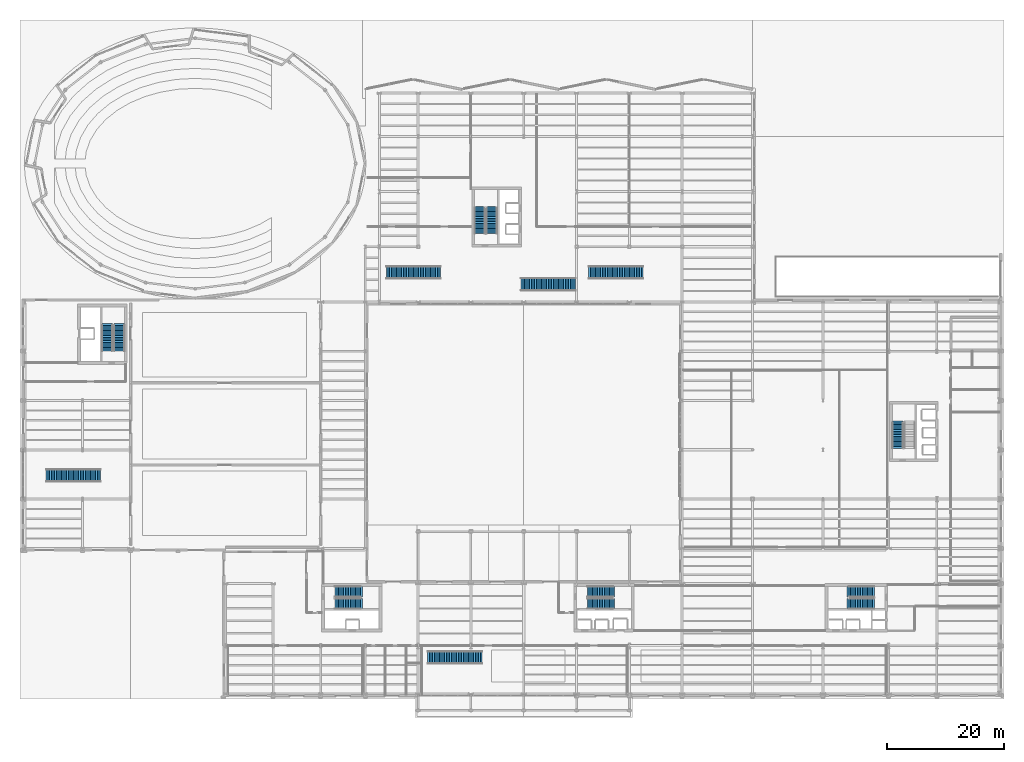
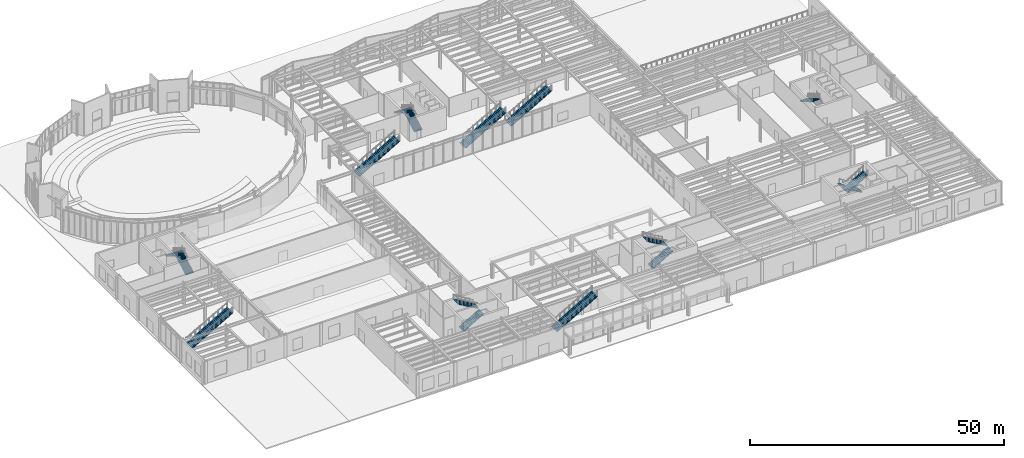
# One storey, part 81 of 94: 16 stair flights, 11 elements without a shape of their own.
"""IFC4 building model written with IfcOpenShell, lengths in metres."""

from ifc_helpers import new_model, si_unit, direction, frame, origin, place, context, subcontext, project, spatial, polyline, outline, extrude, material, type_object, element, aggregate, save


model = new_model("IFC4")

# Units and contexts
model_context = context("Model", 3, precision=1e-05, world=origin(), true_north=direction((0.0, 1.0)))
body_context = subcontext(model_context, "Body", "Model", "MODEL_VIEW")
ifc_project = project(units=[si_unit("LENGTHUNIT", "METRE"), si_unit("AREAUNIT", "SQUARE_METRE"), si_unit("VOLUMEUNIT", "CUBIC_METRE"), si_unit("PLANEANGLEUNIT", "RADIAN"), si_unit("MASSUNIT", "GRAM", prefix="KILO")], contexts=[model_context])

# Site, building, storey
site_placement = place(None, origin())
site = spatial("IfcSite", under=ifc_project, at=site_placement, CompositionType="ELEMENT")
building_placement = place(site_placement, origin())
building = spatial("IfcBuilding", under=site, at=building_placement, Name="Sollismere Congress Hotel", CompositionType="ELEMENT")
storey_placement = place(building_placement, origin())
storey = spatial("IfcBuildingStorey", under=building, at=storey_placement, Name="L00", CompositionType="ELEMENT", Elevation=0.0)

# Stair, stair flights
ifc_material_1 = material(Name="Concrete C40/50", Category="concrete")
stair_type_1 = type_object("IfcStairType", Name="STR-DL-540", PredefinedType="HALF_TURN_STAIR", material=ifc_material_1)
stair_1_placement = place(storey_placement, origin())
stair_1 = element("IfcStair", 1, at=stair_1_placement, inside=storey, type_object=stair_type_1, Name="Protected exit stair ST-01-L00", PredefinedType="HALF_TURN_STAIR")
stair_flight_type_1 = type_object("IfcStairFlightType", Name="STF-DL-540", PredefinedType="STRAIGHT", material=ifc_material_1)
stair_flight_1_placement = place(storey_placement, frame((144.75, 17.425048828125, 0.0), z_axis=(0.0, 0.0, 1.0), x_axis=(-1.0, 0.0, 0.0)))
stair_flight_1 = element("IfcStairFlight", 2, at=stair_flight_1_placement, type_object=stair_flight_type_1, Name="Exit stair flight ST-01-L00-F1", NumberOfRisers=16, NumberOfTreads=16, PredefinedType="STRAIGHT", RiserHeight=0.168701171875, TreadLength=0.2900390625, context=body_context, shape_type="SweptSolid", body=[
    extrude(outline(polyline([(0.0, 0.0), (0.0, 0.168701171875), (0.2900390625, 0.168701171875), (0.2900390625, 0.33740234375), (0.580078125, 0.33740234375), (0.580078125, 0.506103515625), (0.8701171875, 0.506103515625), (0.8701171875, 0.6748046875), (1.16015625, 0.6748046875), (1.16015625, 0.843505859375), (1.4501953125, 0.843505859375), (1.4501953125, 1.01220703125), (1.740234375, 1.01220703125), (1.740234375, 1.180908203125), (2.0302734375, 1.180908203125), (2.0302734375, 1.349609375), (2.3203125, 1.349609375), (2.3203125, 1.518310546875), (2.6103515625, 1.518310546875), (2.6103515625, 1.68701171875), (2.900390625, 1.68701171875), (2.900390625, 1.855712890625), (3.1904296875, 1.855712890625), (3.1904296875, 2.0244140625), (3.48046875, 2.0244140625), (3.48046875, 2.193115234375), (3.7705078125, 2.193115234375), (3.7705078125, 2.36181640625), (4.060546875, 2.36181640625), (4.060546875, 2.530517578125), (4.3505859375, 2.530517578125), (4.3505859375, 2.69921875), (4.640625, 2.69921875), (4.640625, 2.51416015625), (0.318115234375, 0.0), (0.0, 0.0)])), frame((0.0, 0.925048828125, 0.0), z_axis=(0.0, -1.0, 0.0), x_axis=(1.0, 0.0, 0.0)), (0.0, 0.0, 1.0), 1.85009765625),
])
stair_flight_2_placement = place(storey_placement, frame((140.110107421875, 15.375, 2.699951171875), z_axis=(0.0, 0.0, 1.0), x_axis=(1.0, 0.0, 0.0)))
stair_flight_2 = element("IfcStairFlight", 3, at=stair_flight_2_placement, type_object=stair_flight_type_1, Name="Exit stair flight ST-01-L00-F2", NumberOfRisers=16, NumberOfTreads=16, PredefinedType="STRAIGHT", RiserHeight=0.168701171875, TreadLength=0.2900390625, context=body_context, shape_type="SweptSolid", body=[
    extrude(outline(polyline([(0.0, 0.0), (0.0, 0.168701171875), (0.2900390625, 0.168701171875), (0.2900390625, 0.33740234375), (0.580078125, 0.33740234375), (0.580078125, 0.506103515625), (0.8701171875, 0.506103515625), (0.8701171875, 0.6748046875), (1.16015625, 0.6748046875), (1.16015625, 0.843505859375), (1.4501953125, 0.843505859375), (1.4501953125, 1.01220703125), (1.740234375, 1.01220703125), (1.740234375, 1.180908203125), (2.0302734375, 1.180908203125), (2.0302734375, 1.349609375), (2.3203125, 1.349609375), (2.3203125, 1.518310546875), (2.6103515625, 1.518310546875), (2.6103515625, 1.68701171875), (2.900390625, 1.68701171875), (2.900390625, 1.855712890625), (3.1904296875, 1.855712890625), (3.1904296875, 2.0244140625), (3.48046875, 2.0244140625), (3.48046875, 2.193115234375), (3.7705078125, 2.193115234375), (3.7705078125, 2.36181640625), (4.060546875, 2.36181640625), (4.060546875, 2.530517578125), (4.3505859375, 2.530517578125), (4.3505859375, 2.69921875), (4.640625, 2.69921875), (4.640625, 2.51416015625), (0.318115234375, 0.0), (0.0, 0.0)])), frame((0.0, 0.925048828125, 0.0), z_axis=(0.0, -1.0, 0.0), x_axis=(1.0, 0.0, 0.0)), (0.0, 0.0, 1.0), 1.85009765625),
])
aggregate(stair_1, [stair_flight_1, stair_flight_2])

stair_2_placement = place(storey_placement, origin())
stair_2 = element("IfcStair", 4, at=stair_2_placement, inside=storey, type_object=stair_type_1, Name="Protected exit stair ST-02-L00", PredefinedType="HALF_TURN_STAIR")
stair_flight_3_placement = place(storey_placement, frame((95.85009765625, 15.375, 0.0), z_axis=(0.0, 0.0, 1.0), x_axis=(1.0, 0.0, 0.0)))
stair_flight_3 = element("IfcStairFlight", 5, at=stair_flight_3_placement, type_object=stair_flight_type_1, Name="Exit stair flight ST-02-L00-F1", NumberOfRisers=16, NumberOfTreads=16, PredefinedType="STRAIGHT", RiserHeight=0.168701171875, TreadLength=0.2900390625, context=body_context, shape_type="SweptSolid", body=[
    extrude(outline(polyline([(0.0, 0.0), (0.0, 0.168701171875), (0.2900390625, 0.168701171875), (0.2900390625, 0.33740234375), (0.580078125, 0.33740234375), (0.580078125, 0.506103515625), (0.8701171875, 0.506103515625), (0.8701171875, 0.6748046875), (1.16015625, 0.6748046875), (1.16015625, 0.843505859375), (1.4501953125, 0.843505859375), (1.4501953125, 1.01220703125), (1.740234375, 1.01220703125), (1.740234375, 1.180908203125), (2.0302734375, 1.180908203125), (2.0302734375, 1.349609375), (2.3203125, 1.349609375), (2.3203125, 1.518310546875), (2.6103515625, 1.518310546875), (2.6103515625, 1.68701171875), (2.900390625, 1.68701171875), (2.900390625, 1.855712890625), (3.1904296875, 1.855712890625), (3.1904296875, 2.0244140625), (3.48046875, 2.0244140625), (3.48046875, 2.193115234375), (3.7705078125, 2.193115234375), (3.7705078125, 2.36181640625), (4.060546875, 2.36181640625), (4.060546875, 2.530517578125), (4.3505859375, 2.530517578125), (4.3505859375, 2.69921875), (4.640625, 2.69921875), (4.640625, 2.51416015625), (0.318115234375, 0.0), (0.0, 0.0)])), frame((0.0, 0.925048828125, 0.0), z_axis=(0.0, -1.0, 0.0), x_axis=(1.0, 0.0, 0.0)), (0.0, 0.0, 1.0), 1.85009765625),
])
stair_flight_4_placement = place(storey_placement, frame((100.489990234375, 17.425048828125, 2.699951171875), z_axis=(0.0, 0.0, 1.0), x_axis=(-1.0, 0.0, 0.0)))
stair_flight_4 = element("IfcStairFlight", 6, at=stair_flight_4_placement, type_object=stair_flight_type_1, Name="Exit stair flight ST-02-L00-F2", NumberOfRisers=16, NumberOfTreads=16, PredefinedType="STRAIGHT", RiserHeight=0.168701171875, TreadLength=0.2900390625, context=body_context, shape_type="SweptSolid", body=[
    extrude(outline(polyline([(0.0, 0.0), (0.0, 0.168701171875), (0.2900390625, 0.168701171875), (0.2900390625, 0.33740234375), (0.580078125, 0.33740234375), (0.580078125, 0.506103515625), (0.8701171875, 0.506103515625), (0.8701171875, 0.6748046875), (1.16015625, 0.6748046875), (1.16015625, 0.843505859375), (1.4501953125, 0.843505859375), (1.4501953125, 1.01220703125), (1.740234375, 1.01220703125), (1.740234375, 1.180908203125), (2.0302734375, 1.180908203125), (2.0302734375, 1.349609375), (2.3203125, 1.349609375), (2.3203125, 1.518310546875), (2.6103515625, 1.518310546875), (2.6103515625, 1.68701171875), (2.900390625, 1.68701171875), (2.900390625, 1.855712890625), (3.1904296875, 1.855712890625), (3.1904296875, 2.0244140625), (3.48046875, 2.0244140625), (3.48046875, 2.193115234375), (3.7705078125, 2.193115234375), (3.7705078125, 2.36181640625), (4.060546875, 2.36181640625), (4.060546875, 2.530517578125), (4.3505859375, 2.530517578125), (4.3505859375, 2.69921875), (4.640625, 2.69921875), (4.640625, 2.51416015625), (0.318115234375, 0.0), (0.0, 0.0)])), frame((0.0, 0.925048828125, 0.0), z_axis=(0.0, -1.0, 0.0), x_axis=(1.0, 0.0, 0.0)), (0.0, 0.0, 1.0), 1.85009765625),
])
aggregate(stair_2, [stair_flight_3, stair_flight_4])

# Stair, stair flight
stair_3_placement = place(storey_placement, origin())
stair_3 = element("IfcStair", 7, at=stair_3_placement, inside=storey, type_object=stair_type_1, Name="Protected exit stair ST-03-L00", PredefinedType="HALF_TURN_STAIR")
stair_flight_5_placement = place(storey_placement, frame((148.72509765625, 46.489990234375, 2.699951171875), z_axis=(0.0, 0.0, 1.0), x_axis=(0.0, -1.0, 0.0)))
stair_flight_5 = element("IfcStairFlight", 8, at=stair_flight_5_placement, type_object=stair_flight_type_1, Name="Exit stair flight ST-03-L00-F2", NumberOfRisers=16, NumberOfTreads=16, PredefinedType="STRAIGHT", RiserHeight=0.168701171875, TreadLength=0.2900390625, context=body_context, shape_type="SweptSolid", body=[
    extrude(outline(polyline([(0.0, 0.0), (0.0, 0.168701171875), (0.2900390625, 0.168701171875), (0.2900390625, 0.33740234375), (0.580078125, 0.33740234375), (0.580078125, 0.506103515625), (0.8701171875, 0.506103515625), (0.8701171875, 0.6748046875), (1.16015625, 0.6748046875), (1.16015625, 0.843505859375), (1.4501953125, 0.843505859375), (1.4501953125, 1.01220703125), (1.740234375, 1.01220703125), (1.740234375, 1.180908203125), (2.0302734375, 1.180908203125), (2.0302734375, 1.349609375), (2.3203125, 1.349609375), (2.3203125, 1.518310546875), (2.6103515625, 1.518310546875), (2.6103515625, 1.68701171875), (2.900390625, 1.68701171875), (2.900390625, 1.855712890625), (3.1904296875, 1.855712890625), (3.1904296875, 2.0244140625), (3.48046875, 2.0244140625), (3.48046875, 2.193115234375), (3.7705078125, 2.193115234375), (3.7705078125, 2.36181640625), (4.060546875, 2.36181640625), (4.060546875, 2.530517578125), (4.3505859375, 2.530517578125), (4.3505859375, 2.69921875), (4.640625, 2.69921875), (4.640625, 2.51416015625), (0.318115234375, 0.0), (0.0, 0.0)])), frame((0.0, 0.925048828125, 0.0), z_axis=(0.0, -1.0, 0.0), x_axis=(1.0, 0.0, 0.0)), (0.0, 0.0, 1.0), 1.85009765625),
])
aggregate(stair_3, [stair_flight_5])

# Stair, stair flights
stair_4_placement = place(storey_placement, origin())
stair_4 = element("IfcStair", 9, at=stair_4_placement, inside=storey, type_object=stair_type_1, Name="Protected exit stair ST-04-L00", PredefinedType="HALF_TURN_STAIR")
stair_flight_6_placement = place(storey_placement, frame((79.574951171875, 78.449951171875, 0.0), z_axis=(0.0, 0.0, 1.0), x_axis=(0.0, 1.0, 0.0)))
stair_flight_6 = element("IfcStairFlight", 10, at=stair_flight_6_placement, type_object=stair_flight_type_1, Name="Exit stair flight ST-04-L00-F1", NumberOfRisers=16, NumberOfTreads=16, PredefinedType="STRAIGHT", RiserHeight=0.168701171875, TreadLength=0.2900390625, context=body_context, shape_type="SweptSolid", body=[
    extrude(outline(polyline([(0.0, 0.0), (0.0, 0.168701171875), (0.2900390625, 0.168701171875), (0.2900390625, 0.33740234375), (0.580078125, 0.33740234375), (0.580078125, 0.506103515625), (0.8701171875, 0.506103515625), (0.8701171875, 0.6748046875), (1.16015625, 0.6748046875), (1.16015625, 0.843505859375), (1.4501953125, 0.843505859375), (1.4501953125, 1.01220703125), (1.740234375, 1.01220703125), (1.740234375, 1.180908203125), (2.0302734375, 1.180908203125), (2.0302734375, 1.349609375), (2.3203125, 1.349609375), (2.3203125, 1.518310546875), (2.6103515625, 1.518310546875), (2.6103515625, 1.68701171875), (2.900390625, 1.68701171875), (2.900390625, 1.855712890625), (3.1904296875, 1.855712890625), (3.1904296875, 2.0244140625), (3.48046875, 2.0244140625), (3.48046875, 2.193115234375), (3.7705078125, 2.193115234375), (3.7705078125, 2.36181640625), (4.060546875, 2.36181640625), (4.060546875, 2.530517578125), (4.3505859375, 2.530517578125), (4.3505859375, 2.69921875), (4.640625, 2.69921875), (4.640625, 2.51416015625), (0.318115234375, 0.0), (0.0, 0.0)])), frame((0.0, 0.925048828125, 0.0), z_axis=(0.0, -1.0, 0.0), x_axis=(1.0, 0.0, 0.0)), (0.0, 0.0, 1.0), 1.85009765625),
])
stair_flight_7_placement = place(storey_placement, frame((77.52490234375, 83.090087890625, 2.699951171875), z_axis=(0.0, 0.0, 1.0), x_axis=(0.0, -1.0, 0.0)))
stair_flight_7 = element("IfcStairFlight", 11, at=stair_flight_7_placement, type_object=stair_flight_type_1, Name="Exit stair flight ST-04-L00-F2", NumberOfRisers=16, NumberOfTreads=16, PredefinedType="STRAIGHT", RiserHeight=0.168701171875, TreadLength=0.2900390625, context=body_context, shape_type="SweptSolid", body=[
    extrude(outline(polyline([(0.0, 0.0), (0.0, 0.168701171875), (0.2900390625, 0.168701171875), (0.2900390625, 0.33740234375), (0.580078125, 0.33740234375), (0.580078125, 0.506103515625), (0.8701171875, 0.506103515625), (0.8701171875, 0.6748046875), (1.16015625, 0.6748046875), (1.16015625, 0.843505859375), (1.4501953125, 0.843505859375), (1.4501953125, 1.01220703125), (1.740234375, 1.01220703125), (1.740234375, 1.180908203125), (2.0302734375, 1.180908203125), (2.0302734375, 1.349609375), (2.3203125, 1.349609375), (2.3203125, 1.518310546875), (2.6103515625, 1.518310546875), (2.6103515625, 1.68701171875), (2.900390625, 1.68701171875), (2.900390625, 1.855712890625), (3.1904296875, 1.855712890625), (3.1904296875, 2.0244140625), (3.48046875, 2.0244140625), (3.48046875, 2.193115234375), (3.7705078125, 2.193115234375), (3.7705078125, 2.36181640625), (4.060546875, 2.36181640625), (4.060546875, 2.530517578125), (4.3505859375, 2.530517578125), (4.3505859375, 2.69921875), (4.640625, 2.69921875), (4.640625, 2.51416015625), (0.318115234375, 0.0), (0.0, 0.0)])), frame((0.0, 0.925048828125, 0.0), z_axis=(0.0, -1.0, 0.0), x_axis=(1.0, 0.0, 0.0)), (0.0, 0.0, 1.0), 1.85009765625),
])
aggregate(stair_4, [stair_flight_6, stair_flight_7])

stair_5_placement = place(storey_placement, origin())
stair_5 = element("IfcStair", 12, at=stair_5_placement, inside=storey, type_object=stair_type_1, Name="Protected exit stair ST-05-L00", PredefinedType="HALF_TURN_STAIR")
stair_flight_8_placement = place(storey_placement, frame((16.074951171875, 58.449951171875, 0.0), z_axis=(0.0, 0.0, 1.0), x_axis=(0.0, 1.0, 0.0)))
stair_flight_8 = element("IfcStairFlight", 13, at=stair_flight_8_placement, type_object=stair_flight_type_1, Name="Exit stair flight ST-05-L00-F1", NumberOfRisers=16, NumberOfTreads=16, PredefinedType="STRAIGHT", RiserHeight=0.168701171875, TreadLength=0.2900390625, context=body_context, shape_type="SweptSolid", body=[
    extrude(outline(polyline([(0.0, 0.0), (0.0, 0.168701171875), (0.2900390625, 0.168701171875), (0.2900390625, 0.33740234375), (0.580078125, 0.33740234375), (0.580078125, 0.506103515625), (0.8701171875, 0.506103515625), (0.8701171875, 0.6748046875), (1.16015625, 0.6748046875), (1.16015625, 0.843505859375), (1.4501953125, 0.843505859375), (1.4501953125, 1.01220703125), (1.740234375, 1.01220703125), (1.740234375, 1.180908203125), (2.0302734375, 1.180908203125), (2.0302734375, 1.349609375), (2.3203125, 1.349609375), (2.3203125, 1.518310546875), (2.6103515625, 1.518310546875), (2.6103515625, 1.68701171875), (2.900390625, 1.68701171875), (2.900390625, 1.855712890625), (3.1904296875, 1.855712890625), (3.1904296875, 2.0244140625), (3.48046875, 2.0244140625), (3.48046875, 2.193115234375), (3.7705078125, 2.193115234375), (3.7705078125, 2.36181640625), (4.060546875, 2.36181640625), (4.060546875, 2.530517578125), (4.3505859375, 2.530517578125), (4.3505859375, 2.69921875), (4.640625, 2.69921875), (4.640625, 2.51416015625), (0.318115234375, 0.0), (0.0, 0.0)])), frame((0.0, 0.925048828125, 0.0), z_axis=(0.0, -1.0, 0.0), x_axis=(1.0, 0.0, 0.0)), (0.0, 0.0, 1.0), 1.85009765625),
])
stair_flight_9_placement = place(storey_placement, frame((14.02490234375, 63.090087890625, 2.699951171875), z_axis=(0.0, 0.0, 1.0), x_axis=(0.0, -1.0, 0.0)))
stair_flight_9 = element("IfcStairFlight", 14, at=stair_flight_9_placement, type_object=stair_flight_type_1, Name="Exit stair flight ST-05-L00-F2", NumberOfRisers=16, NumberOfTreads=16, PredefinedType="STRAIGHT", RiserHeight=0.168701171875, TreadLength=0.2900390625, context=body_context, shape_type="SweptSolid", body=[
    extrude(outline(polyline([(0.0, 0.0), (0.0, 0.168701171875), (0.2900390625, 0.168701171875), (0.2900390625, 0.33740234375), (0.580078125, 0.33740234375), (0.580078125, 0.506103515625), (0.8701171875, 0.506103515625), (0.8701171875, 0.6748046875), (1.16015625, 0.6748046875), (1.16015625, 0.843505859375), (1.4501953125, 0.843505859375), (1.4501953125, 1.01220703125), (1.740234375, 1.01220703125), (1.740234375, 1.180908203125), (2.0302734375, 1.180908203125), (2.0302734375, 1.349609375), (2.3203125, 1.349609375), (2.3203125, 1.518310546875), (2.6103515625, 1.518310546875), (2.6103515625, 1.68701171875), (2.900390625, 1.68701171875), (2.900390625, 1.855712890625), (3.1904296875, 1.855712890625), (3.1904296875, 2.0244140625), (3.48046875, 2.0244140625), (3.48046875, 2.193115234375), (3.7705078125, 2.193115234375), (3.7705078125, 2.36181640625), (4.060546875, 2.36181640625), (4.060546875, 2.530517578125), (4.3505859375, 2.530517578125), (4.3505859375, 2.69921875), (4.640625, 2.69921875), (4.640625, 2.51416015625), (0.318115234375, 0.0), (0.0, 0.0)])), frame((0.0, 0.925048828125, 0.0), z_axis=(0.0, -1.0, 0.0), x_axis=(1.0, 0.0, 0.0)), (0.0, 0.0, 1.0), 1.85009765625),
])
aggregate(stair_5, [stair_flight_8, stair_flight_9])

stair_6_placement = place(storey_placement, origin())
stair_6 = element("IfcStair", 15, at=stair_6_placement, inside=storey, type_object=stair_type_1, Name="Protected exit stair ST-06-L00", PredefinedType="HALF_TURN_STAIR")
stair_flight_10_placement = place(storey_placement, frame((52.85009765625, 15.375, 0.0), z_axis=(0.0, 0.0, 1.0), x_axis=(1.0, 0.0, 0.0)))
stair_flight_10 = element("IfcStairFlight", 16, at=stair_flight_10_placement, type_object=stair_flight_type_1, Name="Exit stair flight ST-06-L00-F1", NumberOfRisers=16, NumberOfTreads=16, PredefinedType="STRAIGHT", RiserHeight=0.168701171875, TreadLength=0.2900390625, context=body_context, shape_type="SweptSolid", body=[
    extrude(outline(polyline([(0.0, 0.0), (0.0, 0.168701171875), (0.2900390625, 0.168701171875), (0.2900390625, 0.33740234375), (0.580078125, 0.33740234375), (0.580078125, 0.506103515625), (0.8701171875, 0.506103515625), (0.8701171875, 0.6748046875), (1.16015625, 0.6748046875), (1.16015625, 0.843505859375), (1.4501953125, 0.843505859375), (1.4501953125, 1.01220703125), (1.740234375, 1.01220703125), (1.740234375, 1.180908203125), (2.0302734375, 1.180908203125), (2.0302734375, 1.349609375), (2.3203125, 1.349609375), (2.3203125, 1.518310546875), (2.6103515625, 1.518310546875), (2.6103515625, 1.68701171875), (2.900390625, 1.68701171875), (2.900390625, 1.855712890625), (3.1904296875, 1.855712890625), (3.1904296875, 2.0244140625), (3.48046875, 2.0244140625), (3.48046875, 2.193115234375), (3.7705078125, 2.193115234375), (3.7705078125, 2.36181640625), (4.060546875, 2.36181640625), (4.060546875, 2.530517578125), (4.3505859375, 2.530517578125), (4.3505859375, 2.69921875), (4.640625, 2.69921875), (4.640625, 2.51416015625), (0.318115234375, 0.0), (0.0, 0.0)])), frame((0.0, 0.925048828125, 0.0), z_axis=(0.0, -1.0, 0.0), x_axis=(1.0, 0.0, 0.0)), (0.0, 0.0, 1.0), 1.85009765625),
])
stair_flight_11_placement = place(storey_placement, frame((57.489990234375, 17.425048828125, 2.699951171875), z_axis=(0.0, 0.0, 1.0), x_axis=(-1.0, 0.0, 0.0)))
stair_flight_11 = element("IfcStairFlight", 17, at=stair_flight_11_placement, type_object=stair_flight_type_1, Name="Exit stair flight ST-06-L00-F2", NumberOfRisers=16, NumberOfTreads=16, PredefinedType="STRAIGHT", RiserHeight=0.168701171875, TreadLength=0.2900390625, context=body_context, shape_type="SweptSolid", body=[
    extrude(outline(polyline([(0.0, 0.0), (0.0, 0.168701171875), (0.2900390625, 0.168701171875), (0.2900390625, 0.33740234375), (0.580078125, 0.33740234375), (0.580078125, 0.506103515625), (0.8701171875, 0.506103515625), (0.8701171875, 0.6748046875), (1.16015625, 0.6748046875), (1.16015625, 0.843505859375), (1.4501953125, 0.843505859375), (1.4501953125, 1.01220703125), (1.740234375, 1.01220703125), (1.740234375, 1.180908203125), (2.0302734375, 1.180908203125), (2.0302734375, 1.349609375), (2.3203125, 1.349609375), (2.3203125, 1.518310546875), (2.6103515625, 1.518310546875), (2.6103515625, 1.68701171875), (2.900390625, 1.68701171875), (2.900390625, 1.855712890625), (3.1904296875, 1.855712890625), (3.1904296875, 2.0244140625), (3.48046875, 2.0244140625), (3.48046875, 2.193115234375), (3.7705078125, 2.193115234375), (3.7705078125, 2.36181640625), (4.060546875, 2.36181640625), (4.060546875, 2.530517578125), (4.3505859375, 2.530517578125), (4.3505859375, 2.69921875), (4.640625, 2.69921875), (4.640625, 2.51416015625), (0.318115234375, 0.0), (0.0, 0.0)])), frame((0.0, 0.925048828125, 0.0), z_axis=(0.0, -1.0, 0.0), x_axis=(1.0, 0.0, 0.0)), (0.0, 0.0, 1.0), 1.85009765625),
])
aggregate(stair_6, [stair_flight_10, stair_flight_11])

# Stair, stair flight
stair_type_2 = type_object("IfcStairType", Name="STR-SR160", PredefinedType="STRAIGHT_RUN_STAIR", material=ifc_material_1)
stair_7_placement = place(storey_placement, origin())
stair_7 = element("IfcStair", 18, at=stair_7_placement, inside=storey, type_object=stair_type_2, Name="Monumental stair ST-07", PredefinedType="STRAIGHT_RUN_STAIR")
stair_flight_type_2 = type_object("IfcStairFlightType", Name="STF-SR160", PredefinedType="STRAIGHT", material=ifc_material_1)
stair_flight_12_placement = place(storey_placement, frame((61.570068359375, 71.800048828125, 0.0), z_axis=(0.0, 0.0, 1.0), x_axis=(1.0, 0.0, 0.0)))
stair_flight_12 = element("IfcStairFlight", 19, at=stair_flight_12_placement, type_object=stair_flight_type_2, Name="ST-07 flight 1", NumberOfRisers=32, NumberOfTreads=32, PredefinedType="STRAIGHT", RiserHeight=0.168701171875, TreadLength=0.2900390625, context=body_context, shape_type="SweptSolid", body=[
    extrude(outline(polyline([(0.0, 0.0), (0.0, 0.168701171875), (0.2900390625, 0.168701171875), (0.2900390625, 0.33740234375), (0.580078125, 0.33740234375), (0.580078125, 0.506103515625), (0.8701171875, 0.506103515625), (0.8701171875, 0.6748046875), (1.16015625, 0.6748046875), (1.16015625, 0.843505859375), (1.4501953125, 0.843505859375), (1.4501953125, 1.01220703125), (1.740234375, 1.01220703125), (1.740234375, 1.180908203125), (2.0302734375, 1.180908203125), (2.0302734375, 1.349609375), (2.3203125, 1.349609375), (2.3203125, 1.518310546875), (2.6103515625, 1.518310546875), (2.6103515625, 1.68701171875), (2.900390625, 1.68701171875), (2.900390625, 1.855712890625), (3.1904296875, 1.855712890625), (3.1904296875, 2.0244140625), (3.48046875, 2.0244140625), (3.48046875, 2.193115234375), (3.7705078125, 2.193115234375), (3.7705078125, 2.36181640625), (4.060546875, 2.36181640625), (4.060546875, 2.530517578125), (4.3505859375, 2.530517578125), (4.3505859375, 2.69921875), (4.640625, 2.69921875), (4.640625, 2.867919921875), (4.9306640625, 2.867919921875), (4.9306640625, 3.03662109375), (5.220703125, 3.03662109375), (5.220703125, 3.205322265625), (5.5107421875, 3.205322265625), (5.5107421875, 3.3740234375), (5.80078125, 3.3740234375), (5.80078125, 3.542724609375), (6.0908203125, 3.542724609375), (6.0908203125, 3.71142578125), (6.380859375, 3.71142578125), (6.380859375, 3.880126953125), (6.6708984375, 3.880126953125), (6.6708984375, 4.048828125), (6.9609375, 4.048828125), (6.9609375, 4.217529296875), (7.2509765625, 4.217529296875), (7.2509765625, 4.38623046875), (7.541015625, 4.38623046875), (7.541015625, 4.554931640625), (7.8310546875, 4.554931640625), (7.8310546875, 4.7236328125), (8.12109375, 4.7236328125), (8.12109375, 4.892333984375), (8.4111328125, 4.892333984375), (8.4111328125, 5.06103515625), (8.701171875, 5.06103515625), (8.701171875, 5.229736328125), (8.9912109375, 5.229736328125), (8.9912109375, 5.3984375), (9.28125, 5.3984375), (9.28125, 5.190185546875), (0.35791015625, 0.0), (0.0, 0.0)])), frame((0.0, 1.074951171875, 0.0), z_axis=(0.0, -1.0, 0.0), x_axis=(1.0, 0.0, 0.0)), (0.0, 0.0, 1.0), 2.14990234375),
])
aggregate(stair_7, [stair_flight_12])

stair_8_placement = place(storey_placement, origin())
stair_8 = element("IfcStair", 20, at=stair_8_placement, inside=storey, type_object=stair_type_2, Name="Monumental stair ST-08", PredefinedType="STRAIGHT_RUN_STAIR")
stair_flight_13_placement = place(storey_placement, frame((96.070068359375, 71.800048828125, 0.0), z_axis=(0.0, 0.0, 1.0), x_axis=(1.0, 0.0, 0.0)))
stair_flight_13 = element("IfcStairFlight", 21, at=stair_flight_13_placement, type_object=stair_flight_type_2, Name="ST-08 flight 1", NumberOfRisers=32, NumberOfTreads=32, PredefinedType="STRAIGHT", RiserHeight=0.168701171875, TreadLength=0.2900390625, context=body_context, shape_type="SweptSolid", body=[
    extrude(outline(polyline([(0.0, 0.0), (0.0, 0.168701171875), (0.2900390625, 0.168701171875), (0.2900390625, 0.33740234375), (0.580078125, 0.33740234375), (0.580078125, 0.506103515625), (0.8701171875, 0.506103515625), (0.8701171875, 0.6748046875), (1.16015625, 0.6748046875), (1.16015625, 0.843505859375), (1.4501953125, 0.843505859375), (1.4501953125, 1.01220703125), (1.740234375, 1.01220703125), (1.740234375, 1.180908203125), (2.0302734375, 1.180908203125), (2.0302734375, 1.349609375), (2.3203125, 1.349609375), (2.3203125, 1.518310546875), (2.6103515625, 1.518310546875), (2.6103515625, 1.68701171875), (2.900390625, 1.68701171875), (2.900390625, 1.855712890625), (3.1904296875, 1.855712890625), (3.1904296875, 2.0244140625), (3.48046875, 2.0244140625), (3.48046875, 2.193115234375), (3.7705078125, 2.193115234375), (3.7705078125, 2.36181640625), (4.060546875, 2.36181640625), (4.060546875, 2.530517578125), (4.3505859375, 2.530517578125), (4.3505859375, 2.69921875), (4.640625, 2.69921875), (4.640625, 2.867919921875), (4.9306640625, 2.867919921875), (4.9306640625, 3.03662109375), (5.220703125, 3.03662109375), (5.220703125, 3.205322265625), (5.5107421875, 3.205322265625), (5.5107421875, 3.3740234375), (5.80078125, 3.3740234375), (5.80078125, 3.542724609375), (6.0908203125, 3.542724609375), (6.0908203125, 3.71142578125), (6.380859375, 3.71142578125), (6.380859375, 3.880126953125), (6.6708984375, 3.880126953125), (6.6708984375, 4.048828125), (6.9609375, 4.048828125), (6.9609375, 4.217529296875), (7.2509765625, 4.217529296875), (7.2509765625, 4.38623046875), (7.541015625, 4.38623046875), (7.541015625, 4.554931640625), (7.8310546875, 4.554931640625), (7.8310546875, 4.7236328125), (8.12109375, 4.7236328125), (8.12109375, 4.892333984375), (8.4111328125, 4.892333984375), (8.4111328125, 5.06103515625), (8.701171875, 5.06103515625), (8.701171875, 5.229736328125), (8.9912109375, 5.229736328125), (8.9912109375, 5.3984375), (9.28125, 5.3984375), (9.28125, 5.190185546875), (0.35791015625, 0.0), (0.0, 0.0)])), frame((0.0, 1.074951171875, 0.0), z_axis=(0.0, -1.0, 0.0), x_axis=(1.0, 0.0, 0.0)), (0.0, 0.0, 1.0), 2.14990234375),
])
aggregate(stair_8, [stair_flight_13])

stair_9_placement = place(storey_placement, origin())
stair_9 = element("IfcStair", 22, at=stair_9_placement, inside=storey, type_object=stair_type_2, Name="Monumental stair ST-09", PredefinedType="STRAIGHT_RUN_STAIR")
stair_flight_14_placement = place(storey_placement, frame((3.6201171875, 37.199951171875, 0.0), z_axis=(0.0, 0.0, 1.0), x_axis=(1.0, 0.0, 0.0)))
stair_flight_14 = element("IfcStairFlight", 23, at=stair_flight_14_placement, type_object=stair_flight_type_2, Name="ST-09 flight 1", NumberOfRisers=32, NumberOfTreads=32, PredefinedType="STRAIGHT", RiserHeight=0.168701171875, TreadLength=0.2900390625, context=body_context, shape_type="SweptSolid", body=[
    extrude(outline(polyline([(0.0, 0.0), (0.0, 0.168701171875), (0.2900390625, 0.168701171875), (0.2900390625, 0.33740234375), (0.580078125, 0.33740234375), (0.580078125, 0.506103515625), (0.8701171875, 0.506103515625), (0.8701171875, 0.6748046875), (1.16015625, 0.6748046875), (1.16015625, 0.843505859375), (1.4501953125, 0.843505859375), (1.4501953125, 1.01220703125), (1.740234375, 1.01220703125), (1.740234375, 1.180908203125), (2.0302734375, 1.180908203125), (2.0302734375, 1.349609375), (2.3203125, 1.349609375), (2.3203125, 1.518310546875), (2.6103515625, 1.518310546875), (2.6103515625, 1.68701171875), (2.900390625, 1.68701171875), (2.900390625, 1.855712890625), (3.1904296875, 1.855712890625), (3.1904296875, 2.0244140625), (3.48046875, 2.0244140625), (3.48046875, 2.193115234375), (3.7705078125, 2.193115234375), (3.7705078125, 2.36181640625), (4.060546875, 2.36181640625), (4.060546875, 2.530517578125), (4.3505859375, 2.530517578125), (4.3505859375, 2.69921875), (4.640625, 2.69921875), (4.640625, 2.867919921875), (4.9306640625, 2.867919921875), (4.9306640625, 3.03662109375), (5.220703125, 3.03662109375), (5.220703125, 3.205322265625), (5.5107421875, 3.205322265625), (5.5107421875, 3.3740234375), (5.80078125, 3.3740234375), (5.80078125, 3.542724609375), (6.0908203125, 3.542724609375), (6.0908203125, 3.71142578125), (6.380859375, 3.71142578125), (6.380859375, 3.880126953125), (6.6708984375, 3.880126953125), (6.6708984375, 4.048828125), (6.9609375, 4.048828125), (6.9609375, 4.217529296875), (7.2509765625, 4.217529296875), (7.2509765625, 4.38623046875), (7.541015625, 4.38623046875), (7.541015625, 4.554931640625), (7.8310546875, 4.554931640625), (7.8310546875, 4.7236328125), (8.12109375, 4.7236328125), (8.12109375, 4.892333984375), (8.4111328125, 4.892333984375), (8.4111328125, 5.06103515625), (8.701171875, 5.06103515625), (8.701171875, 5.229736328125), (8.9912109375, 5.229736328125), (8.9912109375, 5.3984375), (9.28125, 5.3984375), (9.28125, 5.190185546875), (0.35791015625, 0.0), (0.0, 0.0)])), frame((0.0, 1.074951171875, 0.0), z_axis=(0.0, -1.0, 0.0), x_axis=(1.0, 0.0, 0.0)), (0.0, 0.0, 1.0), 2.14990234375),
])
aggregate(stair_9, [stair_flight_14])

stair_10_placement = place(storey_placement, origin())
stair_10 = element("IfcStair", 24, at=stair_10_placement, inside=storey, type_object=stair_type_2, Name="Monumental stair ST-10", PredefinedType="STRAIGHT_RUN_STAIR")
stair_flight_15_placement = place(storey_placement, frame((68.6201171875, 6.199951171875, 0.0), z_axis=(0.0, 0.0, 1.0), x_axis=(1.0, 0.0, 0.0)))
stair_flight_15 = element("IfcStairFlight", 25, at=stair_flight_15_placement, type_object=stair_flight_type_2, Name="ST-10 flight 1", NumberOfRisers=32, NumberOfTreads=32, PredefinedType="STRAIGHT", RiserHeight=0.168701171875, TreadLength=0.2900390625, context=body_context, shape_type="SweptSolid", body=[
    extrude(outline(polyline([(0.0, 0.0), (0.0, 0.168701171875), (0.2900390625, 0.168701171875), (0.2900390625, 0.33740234375), (0.580078125, 0.33740234375), (0.580078125, 0.506103515625), (0.8701171875, 0.506103515625), (0.8701171875, 0.6748046875), (1.16015625, 0.6748046875), (1.16015625, 0.843505859375), (1.4501953125, 0.843505859375), (1.4501953125, 1.01220703125), (1.740234375, 1.01220703125), (1.740234375, 1.180908203125), (2.0302734375, 1.180908203125), (2.0302734375, 1.349609375), (2.3203125, 1.349609375), (2.3203125, 1.518310546875), (2.6103515625, 1.518310546875), (2.6103515625, 1.68701171875), (2.900390625, 1.68701171875), (2.900390625, 1.855712890625), (3.1904296875, 1.855712890625), (3.1904296875, 2.0244140625), (3.48046875, 2.0244140625), (3.48046875, 2.193115234375), (3.7705078125, 2.193115234375), (3.7705078125, 2.36181640625), (4.060546875, 2.36181640625), (4.060546875, 2.530517578125), (4.3505859375, 2.530517578125), (4.3505859375, 2.69921875), (4.640625, 2.69921875), (4.640625, 2.867919921875), (4.9306640625, 2.867919921875), (4.9306640625, 3.03662109375), (5.220703125, 3.03662109375), (5.220703125, 3.205322265625), (5.5107421875, 3.205322265625), (5.5107421875, 3.3740234375), (5.80078125, 3.3740234375), (5.80078125, 3.542724609375), (6.0908203125, 3.542724609375), (6.0908203125, 3.71142578125), (6.380859375, 3.71142578125), (6.380859375, 3.880126953125), (6.6708984375, 3.880126953125), (6.6708984375, 4.048828125), (6.9609375, 4.048828125), (6.9609375, 4.217529296875), (7.2509765625, 4.217529296875), (7.2509765625, 4.38623046875), (7.541015625, 4.38623046875), (7.541015625, 4.554931640625), (7.8310546875, 4.554931640625), (7.8310546875, 4.7236328125), (8.12109375, 4.7236328125), (8.12109375, 4.892333984375), (8.4111328125, 4.892333984375), (8.4111328125, 5.06103515625), (8.701171875, 5.06103515625), (8.701171875, 5.229736328125), (8.9912109375, 5.229736328125), (8.9912109375, 5.3984375), (9.28125, 5.3984375), (9.28125, 5.190185546875), (0.35791015625, 0.0), (0.0, 0.0)])), frame((0.0, 1.074951171875, 0.0), z_axis=(0.0, -1.0, 0.0), x_axis=(1.0, 0.0, 0.0)), (0.0, 0.0, 1.0), 2.14990234375),
])
aggregate(stair_10, [stair_flight_15])

ifc_material_2 = material(Name="Steel ASTM A992 Grade 50", Category="steel")
stair_type_3 = type_object("IfcStairType", Name="STR-SR180", PredefinedType="STRAIGHT_RUN_STAIR", material=ifc_material_2)
stair_11_placement = place(storey_placement, origin())
stair_11 = element("IfcStair", 26, at=stair_11_placement, inside=storey, type_object=stair_type_3, Name="Monumental stair ST-11", PredefinedType="STRAIGHT_RUN_STAIR")
stair_flight_type_3 = type_object("IfcStairFlightType", Name="STF-SR180", PredefinedType="STRAIGHT", material=ifc_material_2)
stair_flight_16_placement = place(storey_placement, frame((84.550048828125, 69.800048828125, 0.0), z_axis=(0.0, 0.0, 1.0), x_axis=(1.0, 0.0, 0.0)))
stair_flight_16 = element("IfcStairFlight", 27, at=stair_flight_16_placement, type_object=stair_flight_type_3, Name="ST-11 flight 1", NumberOfRisers=32, NumberOfTreads=32, PredefinedType="STRAIGHT", RiserHeight=0.168701171875, TreadLength=0.2900390625, context=body_context, shape_type="SweptSolid", body=[
    extrude(outline(polyline([(0.0, 0.0), (0.0, 0.168701171875), (0.2900390625, 0.168701171875), (0.2900390625, 0.33740234375), (0.580078125, 0.33740234375), (0.580078125, 0.506103515625), (0.8701171875, 0.506103515625), (0.8701171875, 0.6748046875), (1.16015625, 0.6748046875), (1.16015625, 0.843505859375), (1.4501953125, 0.843505859375), (1.4501953125, 1.01220703125), (1.740234375, 1.01220703125), (1.740234375, 1.180908203125), (2.0302734375, 1.180908203125), (2.0302734375, 1.349609375), (2.3203125, 1.349609375), (2.3203125, 1.518310546875), (2.6103515625, 1.518310546875), (2.6103515625, 1.68701171875), (2.900390625, 1.68701171875), (2.900390625, 1.855712890625), (3.1904296875, 1.855712890625), (3.1904296875, 2.0244140625), (3.48046875, 2.0244140625), (3.48046875, 2.193115234375), (3.7705078125, 2.193115234375), (3.7705078125, 2.36181640625), (4.060546875, 2.36181640625), (4.060546875, 2.530517578125), (4.3505859375, 2.530517578125), (4.3505859375, 2.69921875), (4.640625, 2.69921875), (4.640625, 2.867919921875), (4.9306640625, 2.867919921875), (4.9306640625, 3.03662109375), (5.220703125, 3.03662109375), (5.220703125, 3.205322265625), (5.5107421875, 3.205322265625), (5.5107421875, 3.3740234375), (5.80078125, 3.3740234375), (5.80078125, 3.542724609375), (6.0908203125, 3.542724609375), (6.0908203125, 3.71142578125), (6.380859375, 3.71142578125), (6.380859375, 3.880126953125), (6.6708984375, 3.880126953125), (6.6708984375, 4.048828125), (6.9609375, 4.048828125), (6.9609375, 4.217529296875), (7.2509765625, 4.217529296875), (7.2509765625, 4.38623046875), (7.541015625, 4.38623046875), (7.541015625, 4.554931640625), (7.8310546875, 4.554931640625), (7.8310546875, 4.7236328125), (8.12109375, 4.7236328125), (8.12109375, 4.892333984375), (8.4111328125, 4.892333984375), (8.4111328125, 5.06103515625), (8.701171875, 5.06103515625), (8.701171875, 5.229736328125), (8.9912109375, 5.229736328125), (8.9912109375, 5.3984375), (9.28125, 5.3984375), (9.28125, 5.190185546875), (0.35791015625, 0.0), (0.0, 0.0)])), frame((0.0, 1.08984375, 0.0), z_axis=(0.0, -1.0, 0.0), x_axis=(1.0, 0.0, 0.0)), (0.0, 0.0, 1.0), 2.179931640625),
])
aggregate(stair_11, [stair_flight_16])

save(model, "model.ifc")
